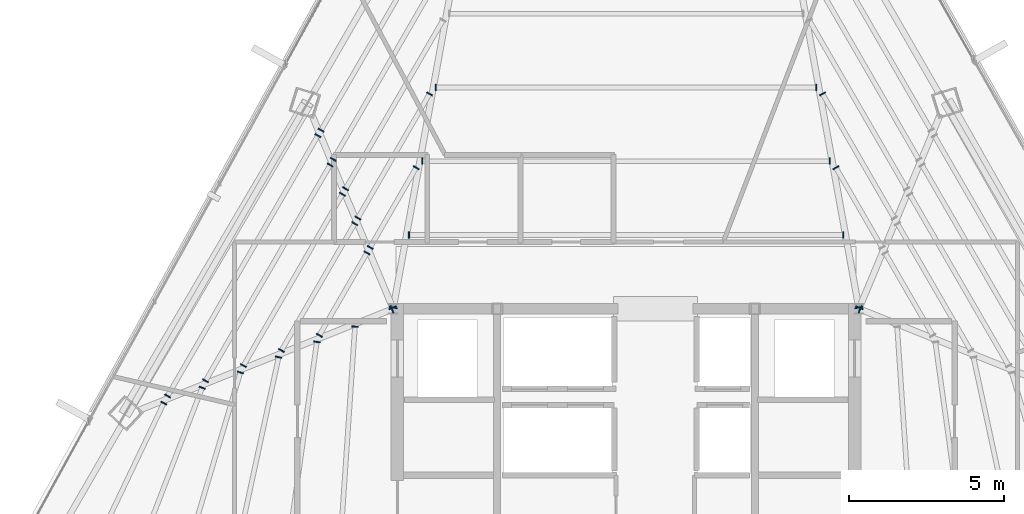
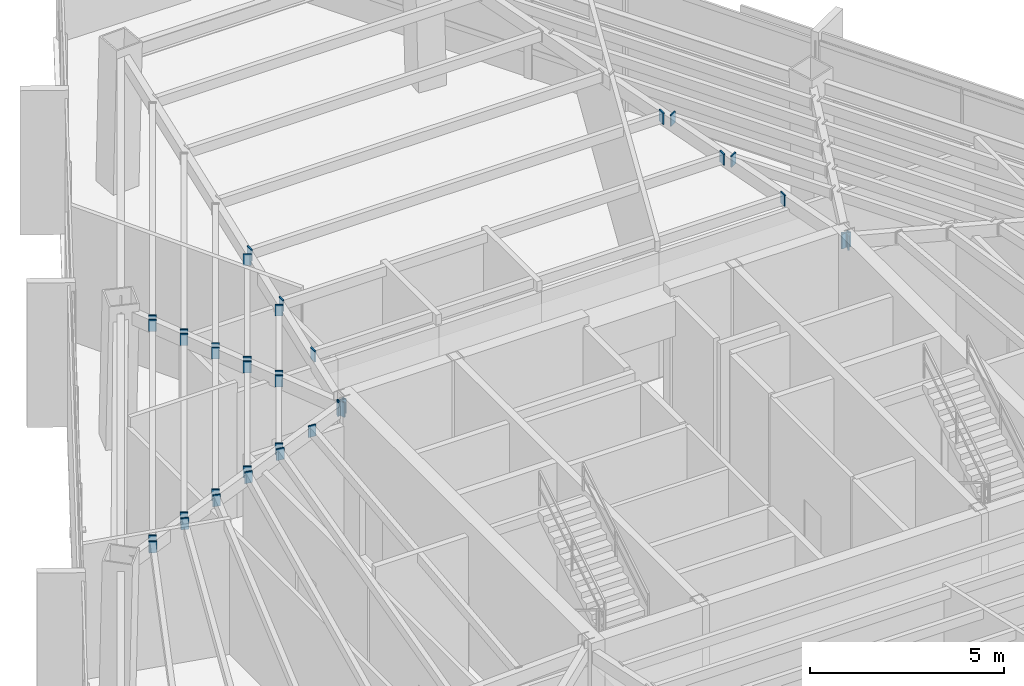
# One storey, part 30 of 37: 37 plates.
"""IFC4 building model written with IfcOpenShell, lengths in metres."""

import ifcopenshell
import ifcopenshell.guid

model = None  # the IFC model being written
_history = None  # IfcOwnerHistory: only IFC2X3 demands one
_inside = {}  # id of a spatial element -> (the spatial element, [elements in it])
_under = {}  # id of a project, library or spatial element -> (it, [spatial elements below it])
_declared = {}  # id of a project -> (the project, [libraries it declares])
_typed = {}  # id of a type object -> (the type object, [elements of that type])
_made_of = {}  # id of a material, layer set ... -> (it, [elements and type objects made of it])


def new_model(schema):
    """Start an empty IFC model of exactly this schema.

    Asked for "IFC4X3", IfcOpenShell would pick the latest addendum, in which some entities
    have other attributes; the version numbers below select the first issue.
    IFC2X3 requires an IfcOwnerHistory on every rooted entity: one is made here for all.
    """
    global model, _history
    if schema == "IFC4X3":
        model = ifcopenshell.file(schema_version=(4, 3, 0, 0))
    else:
        model = ifcopenshell.file(schema=schema)
    _inside.clear()
    _under.clear()
    _declared.clear()
    _typed.clear()
    _made_of.clear()
    _history = None
    if model.schema == "IFC2X3":
        org = make("IfcOrganization", Name="unknown")
        user = make(
            "IfcPersonAndOrganization",
            ThePerson=make("IfcPerson", FamilyName="unknown"),
            TheOrganization=org,
        )
        app = make(
            "IfcApplication",
            ApplicationDeveloper=org,
            Version="unknown",
            ApplicationFullName="unknown",
            ApplicationIdentifier="unknown",
        )
        _history = make(
            "IfcOwnerHistory",
            OwningUser=user,
            OwningApplication=app,
            ChangeAction="ADDED",
            CreationDate=0,
        )
    return model


def make(cls, **values):
    """One entity of the class cls with the attributes given. An attribute that is None is left unset."""
    return model.create_entity(
        cls, **{name: value for name, value in values.items() if value is not None}
    )


def rooted(cls, **values):
    """An entity with a GlobalId (a new one), such as an element, a storey or a relation."""
    return make(cls, GlobalId=ifcopenshell.guid.new(), OwnerHistory=_history, **values)


def si_unit(unit_type, name, prefix=None):
    """IfcSIUnit, for example si_unit("LENGTHUNIT", "METRE", prefix="MILLI")."""
    return make("IfcSIUnit", UnitType=unit_type, Prefix=prefix, Name=name)


def assignment(units):
    """IfcUnitAssignment: the units of a project."""
    return None if units is None else make("IfcUnitAssignment", Units=units)


def point(xyz):
    """IfcCartesianPoint."""
    return None if xyz is None else make("IfcCartesianPoint", Coordinates=xyz)


def direction(xyz):
    """IfcDirection."""
    return None if xyz is None else make("IfcDirection", DirectionRatios=xyz)


def frame(location, z_axis=None, x_axis=None):
    """IfcAxis2Placement3D, a coordinate frame: its origin and axes. An axis left out is left unset."""
    return make(
        "IfcAxis2Placement3D",
        Location=point(location),
        Axis=direction(z_axis),
        RefDirection=direction(x_axis),
    )


def frame_2d(location, x_axis=None):
    """IfcAxis2Placement2D, a coordinate frame in the plane: its origin and x axis."""
    return make(
        "IfcAxis2Placement2D", Location=point(location), RefDirection=direction(x_axis)
    )


def origin():
    """The frame at (0, 0, 0) with its axes left unset."""
    return frame((0.0, 0.0, 0.0))


def origin_2d():
    """The frame at (0, 0) in the plane with its x axis left unset."""
    return frame_2d((0.0, 0.0))


def place(relative_to, where):
    """IfcLocalPlacement: puts the frame where relative to a parent placement (None: the world)."""
    return make(
        "IfcLocalPlacement", PlacementRelTo=relative_to, RelativePlacement=where
    )


def context(
    kind, dimensions, precision=None, world=None, true_north=None, identifier=None
):
    """IfcGeometricRepresentationContext, for example the 3D "Model" context."""
    return make(
        "IfcGeometricRepresentationContext",
        ContextIdentifier=identifier,
        ContextType=kind,
        CoordinateSpaceDimension=dimensions,
        Precision=precision,
        WorldCoordinateSystem=world,
        TrueNorth=true_north,
    )


def subcontext(parent, identifier, kind, view, scale=None):
    """IfcGeometricRepresentationSubContext, for example "Body" below "Model"."""
    return make(
        "IfcGeometricRepresentationSubContext",
        ContextIdentifier=identifier,
        ContextType=kind,
        ParentContext=parent,
        TargetScale=scale,
        TargetView=view,
    )


def project(units=None, contexts=None):
    """IfcProject with its units and contexts."""
    return rooted(
        "IfcProject",
        Name="project",
        RepresentationContexts=contexts,
        UnitsInContext=assignment(units),
    )


def spatial(cls, under=None, at=None, **own):
    """A site, building, storey or space (cls), placed at a placement, below another one or the project."""
    s = rooted(cls, ObjectPlacement=at, **own)
    if under is not None:
        _under.setdefault(under.id(), (under, []))[1].append(s)
    return s


def profile(cls, at=None, kind="AREA", **sizes):
    """A parametric profile (cls). Its sizes go by their IFC names, for example OverallWidth=200.0."""
    return make(cls, ProfileType=kind, Position=at, **sizes)


def rectangle(**sizes):
    """IfcRectangleProfileDef."""
    return profile("IfcRectangleProfileDef", **sizes)


def extrude(swept, where, along, depth):
    """IfcExtrudedAreaSolid: the profile swept, set in the frame where, extruded along a direction by depth."""
    return make(
        "IfcExtrudedAreaSolid",
        SweptArea=swept,
        Position=where,
        ExtrudedDirection=direction(along),
        Depth=depth,
    )


def shape(context_of_items, identifier, shape_type, items):
    """IfcShapeRepresentation: the items that make up one representation, for example the "Body"."""
    return make(
        "IfcShapeRepresentation",
        ContextOfItems=context_of_items,
        RepresentationIdentifier=identifier,
        RepresentationType=shape_type,
        Items=items,
    )


def source(mapping_origin, context_of_items, identifier, shape_type, items):
    """IfcRepresentationMap: a shape defined once, which mapped items show again and again."""
    return make(
        "IfcRepresentationMap",
        MappingOrigin=mapping_origin,
        MappedRepresentation=shape(context_of_items, identifier, shape_type, items),
    )


def transform(
    local_origin,
    x_axis=None,
    y_axis=None,
    z_axis=None,
    scale=None,
    scale2=None,
    scale3=None,
    uniform=True,
):
    """IfcCartesianTransformationOperator3D, or its non-uniform kind. x_axis, y_axis, z_axis: its Axis1, 2, 3."""
    if uniform:
        return make(
            "IfcCartesianTransformationOperator3D",
            Axis1=direction(x_axis),
            Axis2=direction(y_axis),
            LocalOrigin=point(local_origin),
            Scale=scale,
            Axis3=direction(z_axis),
        )
    return make(
        "IfcCartesianTransformationOperator3DnonUniform",
        Axis1=direction(x_axis),
        Axis2=direction(y_axis),
        LocalOrigin=point(local_origin),
        Scale=scale,
        Axis3=direction(z_axis),
        Scale2=scale2,
        Scale3=scale3,
    )


def mapped(mapping_source, mapping_target):
    """IfcMappedItem: shows the shape of a source again, moved by a transform."""
    return make(
        "IfcMappedItem", MappingSource=mapping_source, MappingTarget=mapping_target
    )


def material(Name=None, Category=None):
    """IfcMaterial."""
    return make("IfcMaterial", Name=Name, Category=Category)


def layer(
    of_material, thickness, ventilated=None, Name=None, Category=None, Priority=None
):
    """IfcMaterialLayer: one layer of a wall or slab, of a material (None: an air gap)."""
    return make(
        "IfcMaterialLayer",
        Material=of_material,
        LayerThickness=thickness,
        IsVentilated=ventilated,
        Name=Name,
        Category=Category,
        Priority=Priority,
    )


def layer_set(layers, Name=None):
    """IfcMaterialLayerSet."""
    return make("IfcMaterialLayerSet", MaterialLayers=layers, LayerSetName=Name)


def made_of(thing, what):
    """Note that an element or type object is made of a material, layer set ...; save() writes the relation."""
    if what is not None:
        _made_of.setdefault(what.id(), (what, []))[1].append(thing)
    return thing


def type_object(cls, material=None, **own):
    """A type object (cls), such as IfcWallType, which elements share."""
    return made_of(rooted(cls, **own), material)


def type_shapes(of_type, sources):
    """Give a type object the sources (RepresentationMaps) that its elements show as mapped items."""
    of_type.RepresentationMaps = sources


def element(
    cls,
    number,
    at=None,
    inside=None,
    cuts=None,
    type_object=None,
    material=None,
    context=None,
    identifier="Body",
    shape_type=None,
    held_by="IfcProductDefinitionShape",
    body=None,
    shapes=None,
    **own,
):
    """One element of the class cls, such as IfcWall. Its Tag is "e" and its number.

    at: its placement. inside: the storey or other place that contains it. cuts: it is an
    opening in that element (IfcRelVoidsElement). A single representation is given by context,
    identifier, shape_type and body (its items); several are given by shapes. held_by: the class
    of the entity that holds the representations. save() writes the other relations.
    """
    e = rooted(cls, Tag="e%d" % number, ObjectPlacement=at, **own)
    if body is not None:
        shapes = [shape(context, identifier, shape_type, body)]
    if shapes is not None:
        e.Representation = make(held_by, Representations=shapes)
    if inside is not None:
        _inside.setdefault(inside.id(), (inside, []))[1].append(e)
    if cuts is not None:
        rooted(
            "IfcRelVoidsElement", RelatingBuildingElement=cuts, RelatedOpeningElement=e
        )
    if type_object is not None:
        _typed.setdefault(type_object.id(), (type_object, []))[1].append(e)
    return made_of(e, material)


def aggregate(whole, parts):
    """IfcRelAggregates: a whole, such as a stair, and the parts it consists of."""
    return rooted("IfcRelAggregates", RelatingObject=whole, RelatedObjects=parts)


def save(model, path):
    """Write the relations noted so far, then the file.

    IfcRelAggregates (storeys below a building ...), IfcRelContainedInSpatialStructure (elements
    in a storey), IfcRelDefinesByType, IfcRelAssociatesMaterial and IfcRelDeclares: one each for
    every whole, place, type object, material and project.
    """
    for whole, parts in _under.values():
        aggregate(whole, parts)
    for where, things in _inside.values():
        rooted(
            "IfcRelContainedInSpatialStructure",
            RelatedElements=things,
            RelatingStructure=where,
        )
    for kind, things in _typed.values():
        rooted("IfcRelDefinesByType", RelatedObjects=things, RelatingType=kind)
    for what, things in _made_of.values():
        rooted("IfcRelAssociatesMaterial", RelatedObjects=things, RelatingMaterial=what)
    for by, libraries in _declared.values():
        rooted("IfcRelDeclares", RelatingContext=by, RelatedDefinitions=libraries)
    model.write(path)


model = new_model("IFC4")

# Units and contexts
model_context = context("Model", 3, precision=1e-05, world=origin(), true_north=direction((0.0, 1.0)))
body_context = subcontext(model_context, "Body", "Model", "MODEL_VIEW")
ifc_project = project(units=[si_unit("LENGTHUNIT", "METRE"), si_unit("AREAUNIT", "SQUARE_METRE"), si_unit("VOLUMEUNIT", "CUBIC_METRE"), si_unit("PLANEANGLEUNIT", "RADIAN"), si_unit("MASSUNIT", "GRAM", prefix="KILO")], contexts=[model_context])

# Site, building, storey
site_placement = place(None, origin())
site = spatial("IfcSite", under=ifc_project, at=site_placement, CompositionType="ELEMENT")
building_placement = place(site_placement, origin())
building = spatial("IfcBuilding", under=site, at=building_placement, Name="Caelisora Broadcast Tower", CompositionType="ELEMENT")
storey_placement = place(building_placement, frame((0.0, 0.0, 225.35009765625)))
storey = spatial("IfcBuildingStorey", under=building, at=storey_placement, Name="L59", CompositionType="ELEMENT", Elevation=225.35009765625)

# Plates
ifc_material = material(Name="Steel Grade 350 L15 (AS/NZS 3678)", Category="steel")
ifc_layer = layer(ifc_material, 0.0400390625, Name="Steel Grade 350 L15 (AS/NZS 3678)")
ifc_layer_set = layer_set([ifc_layer], Name="Steel Grade 350 L15 (AS/NZS 3678)")
plate_type = type_object("IfcPlateType", Name="GP04", PredefinedType="USERDEFINED", material=ifc_layer_set)
shared_shape_1 = source(origin(), body_context, "Body", "SweptSolid", [
    extrude(rectangle(XDim=0.260009765625, YDim=0.0400390625, at=origin_2d()), origin(), (0.0, 0.0, 1.0), 0.4599609375),
])
for number, where, z_axis, x_axis, name in (
    (1, (45.492919921875, 30.039306640625, 3.81982421875), (0.0, 0.0, 1.0), (-0.983916229822, -0.17863049206, 0.0), "L59 gusset plate GP04 (ND-RAD-L59-01)"),
    (2, (30.507080078125, 30.039306640625, 3.81982421875), (0.0, 0.0, 1.0), (-0.983916229822, 0.17863049206, 0.0), "L59 gusset plate GP04 (ND-RAD-L59-02)"),
    (3, (30.484619140625, 30.036865234375, 3.81982421875), (0.0, 0.0, 1.0), (-0.922470722095, -0.386067049717, 0.0), "L59 gusset plate GP04 (ND-RAD-L59-03)"),
    (4, (30.462890625, 29.985107421875, 3.81982421875), (0.0, 0.0, 1.0), (0.370719539713, -0.928744864252, 0.0), "L59 gusset plate GP04 (ND-RAD-L59-04)"),
    (5, (45.537109375, 29.985107421875, 3.81982421875), (0.0, 0.0, 1.0), (0.370719539713, 0.928744864252, 0.0), "L59 gusset plate GP04 (ND-RAD-L59-11)"),
    (6, (45.515380859375, 30.036865234375, 3.81982421875), (0.0, 0.0, 1.0), (-0.922470722095, 0.386067049717, 0.0), "L59 gusset plate GP04 (ND-RAD-L59-12)"),
):
    element("IfcPlate", number, at=place(storey_placement, frame(where, z_axis=z_axis, x_axis=x_axis)), inside=storey, type_object=plate_type, Name=name, ObjectType="GUSSET PLATE", PredefinedType="USERDEFINED", context=body_context, shape_type="MappedRepresentation", body=[
        mapped(shared_shape_1, transform((0.0, 0.0, 0.0), scale=1.0)),
    ])
shared_shape_2 = source(origin(), body_context, "Body", "SweptSolid", [
    extrude(rectangle(XDim=0.2099609375, YDim=0.0400390625, at=origin_2d()), origin(), (0.0, 0.0, 1.0), 0.360107421875),
])
type_shapes(plate_type, [shared_shape_1, shared_shape_2])
for number, where, z_axis, x_axis, name in (
    (7, (44.989990234375, 32.37548828125, 3.919921875), (0.0, 0.0, 1.0), (0.0, -1.0, 0.0), "L59 gusset plate GP04 (ND-SB-L59-001A)"),
    (8, (31.010009765625, 32.37548828125, 3.919921875), (0.0, 0.0, 1.0), (0.0, -1.0, 0.0), "L59 gusset plate GP04 (ND-SB-L59-001B)"),
    (9, (44.55859375, 34.750732421875, 3.919921875), (0.0, 0.0, 1.0), (0.0, -1.0, 0.0), "L59 gusset plate GP04 (ND-SB-L59-002A)"),
    (10, (31.44140625, 34.750732421875, 3.919921875), (0.0, 0.0, 1.0), (0.0, -1.0, 0.0), "L59 gusset plate GP04 (ND-SB-L59-002B)"),
    (11, (44.127197265625, 37.126220703125, 3.919921875), (0.0, 0.0, 1.0), (0.0, -1.0, 0.0), "L59 gusset plate GP04 (ND-SB-L59-003A)"),
    (12, (31.872802734375, 37.126220703125, 3.919921875), (0.0, 0.0, 1.0), (0.0, -1.0, 0.0), "L59 gusset plate GP04 (ND-SB-L59-003B)"),
    (13, (31.24267578125, 34.542724609375, 3.919921875), (0.0, 0.0, 1.0), (0.866025403784, -0.5, 0.0), "L59 gusset plate GP04 (ND-SB-L59-007A)"),
    (14, (29.76123046875, 31.976806640625, 3.919921875), (0.0, 0.0, 1.0), (0.866025403784, -0.5, 0.0), "L59 gusset plate GP04 (ND-SB-L59-007B)"),
    (15, (31.674072265625, 36.918212890625, 3.919921875), (0.0, 0.0, 1.0), (0.866025403784, -0.5, 0.0), "L59 gusset plate GP04 (ND-SB-L59-008A)"),
    (16, (29.3662109375, 32.920654296875, 3.919921875), (0.0, 0.0, 1.0), (0.866025403784, -0.5, 0.0), "L59 gusset plate GP04 (ND-SB-L59-008B)"),
    (17, (28.970947265625, 33.864501953125, 3.919921875), (0.0, 0.0, 1.0), (0.866025403784, -0.5, 0.0), "L59 gusset plate GP04 (ND-SB-L59-009B)"),
    (18, (28.575927734375, 34.808349609375, 3.919921875), (0.0, 0.0, 1.0), (0.866025403784, -0.5, 0.0), "L59 gusset plate GP04 (ND-SB-L59-010B)"),
    (19, (28.180908203125, 35.752197265625, 3.919921875), (0.0, 0.0, 1.0), (0.866025403784, -0.5, 0.0), "L59 gusset plate GP04 (ND-SB-L59-011B)"),
    (20, (29.658447265625, 31.798828125, 3.919921875), (0.0, 0.0, 1.0), (0.866025403784, -0.5, 0.0), "L59 gusset plate GP04 (ND-SB-L59-012A)"),
    (21, (28.126220703125, 29.144775390625, 3.919921875), (0.0, 0.0, 1.0), (0.866025403784, -0.5, 0.0), "L59 gusset plate GP04 (ND-SB-L59-012B)"),
    (22, (29.263427734375, 32.742919921875, 3.919921875), (0.0, 0.0, 1.0), (0.866025403784, -0.5, 0.0), "L59 gusset plate GP04 (ND-SB-L59-013A)"),
    (23, (26.904541015625, 28.6572265625, 3.919921875), (0.0, 0.0, 1.0), (0.866025403784, -0.5, 0.0), "L59 gusset plate GP04 (ND-SB-L59-013B)"),
    (24, (28.868408203125, 33.686767578125, 3.919921875), (0.0, 0.0, 1.0), (0.866025403784, -0.5, 0.0), "L59 gusset plate GP04 (ND-SB-L59-014A)"),
    (25, (25.68310546875, 28.169677734375, 3.919921875), (0.0, 0.0, 1.0), (0.866025403784, -0.5, 0.0), "L59 gusset plate GP04 (ND-SB-L59-014B)"),
    (26, (28.47314453125, 34.630615234375, 3.919921875), (0.0, 0.0, 1.0), (0.866025403784, -0.5, 0.0), "L59 gusset plate GP04 (ND-SB-L59-015A)"),
    (27, (24.46142578125, 27.681884765625, 3.919921875), (0.0, 0.0, 1.0), (0.866025403784, -0.5, 0.0), "L59 gusset plate GP04 (ND-SB-L59-015B)"),
    (28, (28.078125, 35.574462890625, 3.919921875), (0.0, 0.0, 1.0), (0.866025403784, -0.5, 0.0), "L59 gusset plate GP04 (ND-SB-L59-016A)"),
    (29, (23.23974609375, 27.1943359375, 3.919921875), (0.0, 0.0, 1.0), (0.866025403784, -0.5, 0.0), "L59 gusset plate GP04 (ND-SB-L59-016B)"),
    (30, (29.2724609375, 29.4248046875, 3.919921875), (0.0, 0.0, 1.0), (0.997719754796, -0.067492895099, 0.0), "L59 gusset plate GP04 (ND-SB-L59-017A)"),
    (31, (28.044189453125, 28.93359375, 3.919921875), (0.0, 0.0, 1.0), (0.990437361669, -0.137963156715, 0.0), "L59 gusset plate GP04 (ND-SB-L59-018A)"),
    (32, (26.814697265625, 28.44189453125, 3.919921875), (0.0, 0.0, 1.0), (0.977526409704, -0.210812993745, 0.0), "L59 gusset plate GP04 (ND-SB-L59-019A)"),
    (33, (25.583984375, 27.949462890625, 3.919921875), (0.0, 0.0, 1.0), (0.958571519664, -0.284851964518, 0.0), "L59 gusset plate GP04 (ND-SB-L59-020A)"),
    (34, (24.3515625, 27.456298828125, 3.919921875), (0.0, 0.0, 1.0), (0.933517865272, -0.358530884609, 0.0), "L59 gusset plate GP04 (ND-SB-L59-021A)"),
    (35, (23.116943359375, 26.9619140625, 3.919921875), (0.0, 0.0, 1.0), (0.902434952642, -0.430826132274, 0.0), "L59 gusset plate GP04 (ND-SB-L59-022A)"),
    (36, (44.75732421875, 34.542724609375, 3.919921875), (0.0, 0.0, 1.0), (-0.866025403784, -0.5, 0.0), "L59 gusset plate GP04 (ND-SB-L59-060B)"),
    (37, (44.325927734375, 36.918212890625, 3.919921875), (0.0, 0.0, 1.0), (-0.866025403784, -0.5, 0.0), "L59 gusset plate GP04 (ND-SB-L59-061B)"),
):
    element("IfcPlate", number, at=place(storey_placement, frame(where, z_axis=z_axis, x_axis=x_axis)), inside=storey, type_object=plate_type, Name=name, ObjectType="GUSSET PLATE", PredefinedType="USERDEFINED", context=body_context, shape_type="MappedRepresentation", body=[
        mapped(shared_shape_2, transform((0.0, 0.0, 0.0), scale=1.0)),
    ])

save(model, "model.ifc")
